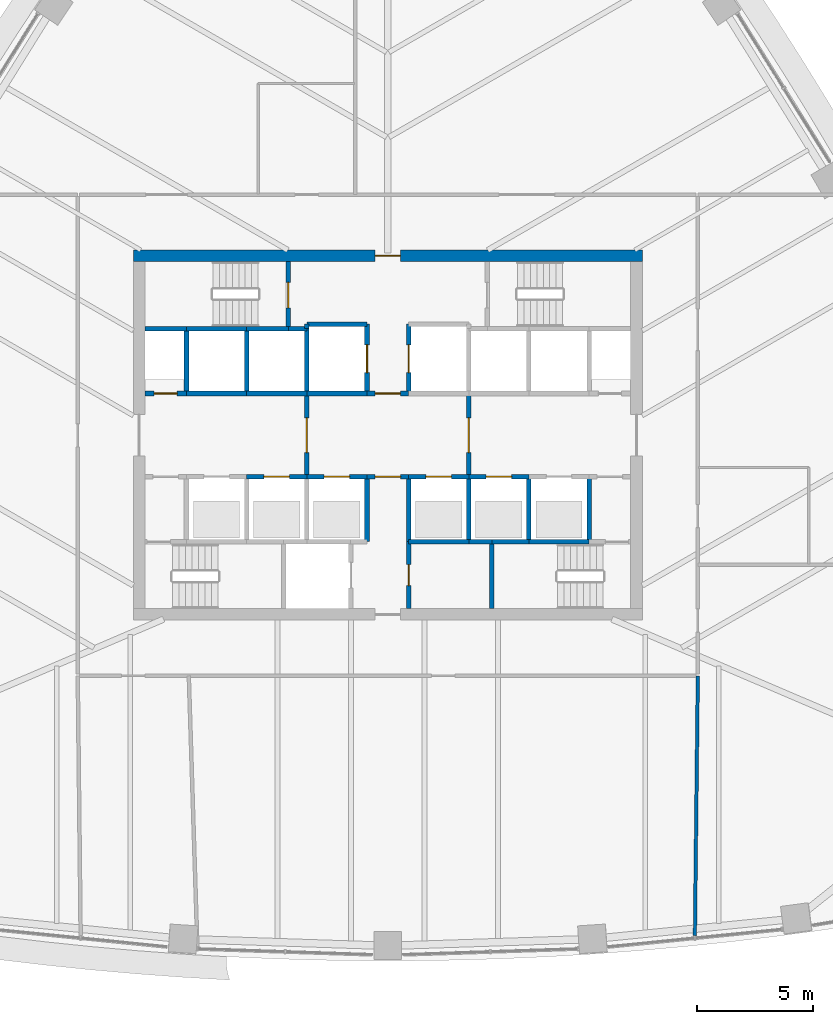
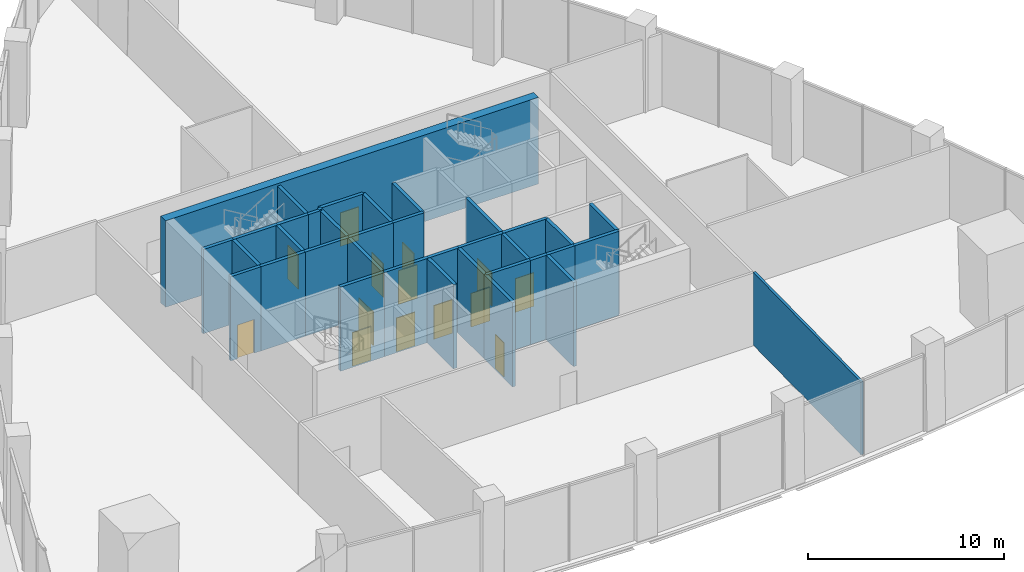
# One storey, part 10 of 16: 37 walls, 14 doors, 14 openings.
"""IFC4 building model written with IfcOpenShell, lengths in metres."""

from ifc_helpers import new_model, si_unit, direction, frame, frame_2d, origin, place, context, subcontext, project, spatial, rectangle, extrude, material, layer, layer_set, type_object, element, fill, save


model = new_model("IFC4")

# Units and contexts
model_context = context("Model", 3, precision=1e-05, world=origin(), true_north=direction((0.0, 1.0)))
body_context = subcontext(model_context, "Body", "Model", "MODEL_VIEW")
ifc_project = project(units=[si_unit("LENGTHUNIT", "METRE"), si_unit("AREAUNIT", "SQUARE_METRE"), si_unit("VOLUMEUNIT", "CUBIC_METRE"), si_unit("PLANEANGLEUNIT", "RADIAN"), si_unit("MASSUNIT", "GRAM", prefix="KILO")], contexts=[model_context])

# Site, building, storey
site_placement = place(None, origin())
site = spatial("IfcSite", under=ifc_project, at=site_placement, CompositionType="ELEMENT")
building_placement = place(site_placement, origin())
building = spatial("IfcBuilding", under=site, at=building_placement, Name="Sierra Prisma Convention Tower", CompositionType="ELEMENT")
storey_placement = place(building_placement, frame((0.0, 0.0, 107.199951171875)))
storey = spatial("IfcBuildingStorey", under=building, at=storey_placement, Name="L23", CompositionType="ELEMENT", Elevation=107.199951171875)

# Wall, opening, door
ifc_material_1 = material(Name="Concrete C30/37", Category="concrete")
ifc_layer_1 = layer(ifc_material_1, 0.199951171875)
ifc_layer_set_1 = layer_set([ifc_layer_1], Name="Core wall RC 200 C30/37")
wall_type_1 = type_object("IfcWallType", Name="Core wall RC 200 C30/37", PredefinedType="SOLIDWALL", material=ifc_layer_set_1)
wall_1_placement = place(storey_placement, frame((-8.699951171875, 1.800048828125, 0.0), z_axis=(0.0, 0.0, 1.0), x_axis=(-1.0, 0.0, 0.0)))
wall_1 = element("IfcWall", 1, at=wall_1_placement, inside=storey, type_object=wall_type_1, Name="Core wall L23 3", PredefinedType="SOLIDWALL", context=body_context, shape_type="SweptSolid", body=[
    extrude(rectangle(XDim=1.800048828125, YDim=0.199951171875, at=frame_2d((0.89990234375, 0.0))), origin(), (0.0, 0.0, 1.0), 5.25),
])
opening_1_placement = place(wall_1_placement, frame((0.39990234375, 0.0, 0.0)))
opening_1 = element("IfcOpeningElement", 2, at=opening_1_placement, cuts=wall_1, Name="Opening L23-D016", PredefinedType="OPENING", context=body_context, shape_type="SweptSolid", body=[
    extrude(rectangle(XDim=1.0, YDim=2.10009765625, at=frame_2d((0.5, 1.050048828125))), frame((0.0, 0.10009765625, 0.0), z_axis=(0.0, -1.0, 0.0), x_axis=(1.0, 0.0, 0.0)), (0.0, 0.0, 1.0), 0.199951171875),
])
ifc_material_2 = material(Name="Steel fire door leaf", Category="steel")
door_type_1 = type_object("IfcDoorType", Name="Door 1000x2100 FD60S", OperationType="SINGLE_SWING_LEFT", PredefinedType="DOOR", material=ifc_material_2)
door_1_placement = place(opening_1_placement, origin())
door_1 = element("IfcDoor", 3, at=door_1_placement, inside=storey, type_object=door_type_1, Name="Door L23 25", OperationType="SINGLE_SWING_RIGHT", OverallHeight=2.10009765625, OverallWidth=1.0, PredefinedType="DOOR", context=body_context, shape_type="SweptSolid", body=[
    extrude(rectangle(XDim=1.0, YDim=2.10009765625, at=frame_2d((0.5, 1.050048828125))), frame((0.0, 0.02490234375, 0.0), z_axis=(0.0, -1.0, 0.0), x_axis=(1.0, 0.0, 0.0)), (0.0, 0.0, 1.0), 0.050048828125),
])
fill(opening_1, door_1)

# Walls
wall_2_placement = place(storey_placement, frame((-8.699951171875, 4.60009765625, 0.0), z_axis=(0.0, 0.0, 1.0), x_axis=(-1.0, 0.0, 0.0)))
element("IfcWall", 4, at=wall_2_placement, inside=storey, type_object=wall_type_1, Name="Core wall L23 4", PredefinedType="SOLIDWALL", context=body_context, shape_type="SweptSolid", body=[
    extrude(rectangle(XDim=1.800048828125, YDim=0.199951171875, at=frame_2d((0.89990234375, 0.0))), origin(), (0.0, 0.0, 1.0), 5.25),
])
wall_3_placement = place(storey_placement, frame((-6.10009765625, 1.800048828125, 0.0), z_axis=(0.0, 0.0, 1.0), x_axis=(-1.0, 0.0, 0.0)))
element("IfcWall", 5, at=wall_3_placement, inside=storey, type_object=wall_type_1, Name="Core wall L23 8", PredefinedType="SOLIDWALL", context=body_context, shape_type="SweptSolid", body=[
    extrude(rectangle(XDim=2.599853515625, YDim=0.199951171875, at=frame_2d((1.2998046875, 0.0))), origin(), (0.0, 0.0, 1.0), 5.25),
])
wall_4_placement = place(storey_placement, frame((-8.699951171875, 1.800048828125, 0.0), z_axis=(0.0, 0.0, 1.0), x_axis=(0.0, 1.0, 0.0)))
element("IfcWall", 6, at=wall_4_placement, inside=storey, type_object=wall_type_1, Name="Core wall L23 9", PredefinedType="SOLIDWALL", context=body_context, shape_type="SweptSolid", body=[
    extrude(rectangle(XDim=2.800048828125, YDim=0.199951171875, at=frame_2d((1.39990234375, 0.0))), origin(), (0.0, 0.0, 1.0), 5.25),
])
wall_5_placement = place(storey_placement, frame((-6.10009765625, 4.60009765625, 0.0), z_axis=(0.0, 0.0, 1.0), x_axis=(-1.0, 0.0, 0.0)))
element("IfcWall", 7, at=wall_5_placement, inside=storey, type_object=wall_type_1, Name="Core wall L23 10", PredefinedType="SOLIDWALL", context=body_context, shape_type="SweptSolid", body=[
    extrude(rectangle(XDim=2.599853515625, YDim=0.199951171875, at=frame_2d((1.2998046875, 0.0))), origin(), (0.0, 0.0, 1.0), 5.25),
])

# Wall, opening, door
wall_6_placement = place(storey_placement, frame((-6.10009765625, -1.800048828125, 0.0), z_axis=(0.0, 0.0, 1.0), x_axis=(1.0, 0.0, 0.0)))
wall_6 = element("IfcWall", 8, at=wall_6_placement, inside=storey, type_object=wall_type_1, Name="Core wall L23 13", PredefinedType="SOLIDWALL", context=body_context, shape_type="SweptSolid", body=[
    extrude(rectangle(XDim=2.60009765625, YDim=0.199951171875, at=frame_2d((1.300048828125, 0.0))), origin(), (0.0, 0.0, 1.0), 5.25),
])
opening_2_placement = place(wall_6_placement, frame((0.75, 0.0, 0.0)))
opening_2 = element("IfcOpeningElement", 9, at=opening_2_placement, cuts=wall_6, Name="Opening L23-D002", PredefinedType="OPENING", context=body_context, shape_type="SweptSolid", body=[
    extrude(rectangle(XDim=1.10009765625, YDim=2.10009765625, at=frame_2d((0.550048828125, 1.050048828125))), frame((0.0, 0.10009765625, 0.0), z_axis=(0.0, -1.0, 0.0), x_axis=(1.0, 0.0, 0.0)), (0.0, 0.0, 1.0), 0.199951171875),
])
ifc_material_3 = material(Name="Steel fire door leaf", Category="steel")
door_type_2 = type_object("IfcDoorType", Name="Door 1100x2100 EI 90 sliding lift landing", OperationType="SLIDING_TO_LEFT", PredefinedType="DOOR", material=ifc_material_3)
door_2_placement = place(opening_2_placement, origin())
door_2 = element("IfcDoor", 10, at=door_2_placement, inside=storey, type_object=door_type_2, Name="Door L23 11", OperationType="SLIDING_TO_RIGHT", OverallHeight=2.10009765625, OverallWidth=1.10009765625, PredefinedType="DOOR", context=body_context, shape_type="SweptSolid", body=[
    extrude(rectangle(XDim=1.10009765625, YDim=2.10009765625, at=frame_2d((0.550048828125, 1.050048828125))), frame((0.0, 0.02490234375, 0.0), z_axis=(0.0, -1.0, 0.0), x_axis=(1.0, 0.0, 0.0)), (0.0, 0.0, 1.0), 0.050048828125),
])
fill(opening_2, door_2)

# Walls
wall_7_placement = place(storey_placement, frame((-3.5, 1.800048828125, 0.0), z_axis=(0.0, 0.0, 1.0), x_axis=(-1.0, 0.0, 0.0)))
element("IfcWall", 11, at=wall_7_placement, inside=storey, type_object=wall_type_1, Name="Core wall L23 14", PredefinedType="SOLIDWALL", context=body_context, shape_type="SweptSolid", body=[
    extrude(rectangle(XDim=2.60009765625, YDim=0.199951171875, at=frame_2d((1.300048828125, 0.0))), origin(), (0.0, 0.0, 1.0), 5.25),
])
wall_8_placement = place(storey_placement, frame((-6.10009765625, 1.800048828125, 0.0), z_axis=(0.0, 0.0, 1.0), x_axis=(0.0, 1.0, 0.0)))
element("IfcWall", 12, at=wall_8_placement, inside=storey, type_object=wall_type_1, Name="Core wall L23 15", PredefinedType="SOLIDWALL", context=body_context, shape_type="SweptSolid", body=[
    extrude(rectangle(XDim=2.800048828125, YDim=0.199951171875, at=frame_2d((1.39990234375, 0.0))), origin(), (0.0, 0.0, 1.0), 5.25),
])
wall_9_placement = place(storey_placement, frame((-4.300048828125, 4.60009765625, 0.0), z_axis=(0.0, 0.0, 1.0), x_axis=(-1.0, 0.0, 0.0)))
element("IfcWall", 13, at=wall_9_placement, inside=storey, type_object=wall_type_1, Name="Core wall L23 16", PredefinedType="SOLIDWALL", context=body_context, shape_type="SweptSolid", body=[
    extrude(rectangle(XDim=1.800048828125, YDim=0.199951171875, at=frame_2d((0.89990234375, 0.0))), origin(), (0.0, 0.0, 1.0), 5.25),
])
wall_10_placement = place(storey_placement, frame((-3.5, 4.60009765625, 0.0), z_axis=(0.0, 0.0, 1.0), x_axis=(-1.0, 0.0, 0.0)))
element("IfcWall", 14, at=wall_10_placement, inside=storey, type_object=wall_type_1, Name="Core wall L23 19", PredefinedType="SOLIDWALL", context=body_context, shape_type="SweptSolid", body=[
    extrude(rectangle(XDim=0.800048828125, YDim=0.199951171875, at=frame_2d((0.39990234375, 0.0))), origin(), (0.0, 0.0, 1.0), 5.25),
])

# Wall, opening, door
wall_11_placement = place(storey_placement, frame((-4.300048828125, 4.60009765625, 0.0), z_axis=(0.0, 0.0, 1.0), x_axis=(0.0, 1.0, 0.0)))
wall_11 = element("IfcWall", 15, at=wall_11_placement, inside=storey, type_object=wall_type_1, Name="Core wall L23 20", PredefinedType="SOLIDWALL", context=body_context, shape_type="SweptSolid", body=[
    extrude(rectangle(XDim=2.89990234375, YDim=0.199951171875, at=frame_2d((1.449951171875, 0.0))), origin(), (0.0, 0.0, 1.0), 5.25),
])
opening_3_placement = place(wall_11_placement, frame((0.89990234375, 0.0, 0.0)))
opening_3 = element("IfcOpeningElement", 16, at=opening_3_placement, cuts=wall_11, Name="Opening L23-D020", PredefinedType="OPENING", context=body_context, shape_type="SweptSolid", body=[
    extrude(rectangle(XDim=1.10009765625, YDim=2.10009765625, at=frame_2d((0.550048828125, 1.050048828125))), frame((0.0, 0.10009765625, 0.0), z_axis=(0.0, -1.0, 0.0), x_axis=(1.0, 0.0, 0.0)), (0.0, 0.0, 1.0), 0.199951171875),
])
ifc_material_4 = material(Name="Steel fire door leaf", Category="steel")
door_type_3 = type_object("IfcDoorType", Name="Door 1100x2100 FD90S", OperationType="SINGLE_SWING_LEFT", PredefinedType="DOOR", material=ifc_material_4)
door_3_placement = place(opening_3_placement, origin())
door_3 = element("IfcDoor", 17, at=door_3_placement, inside=storey, type_object=door_type_3, Name="Door L23 29", OperationType="SINGLE_SWING_RIGHT", OverallHeight=2.10009765625, OverallWidth=1.10009765625, PredefinedType="DOOR", context=body_context, shape_type="SweptSolid", body=[
    extrude(rectangle(XDim=1.10009765625, YDim=2.10009765625, at=frame_2d((0.550048828125, 1.050048828125))), frame((0.0, 0.02490234375, 0.0), z_axis=(0.0, -1.0, 0.0), x_axis=(1.0, 0.0, 0.0)), (0.0, 0.0, 1.0), 0.050048828125),
])
fill(opening_3, door_3)

wall_12_placement = place(storey_placement, frame((-3.5, -1.800048828125, 0.0), z_axis=(0.0, 0.0, 1.0), x_axis=(1.0, 0.0, 0.0)))
wall_12 = element("IfcWall", 18, at=wall_12_placement, inside=storey, type_object=wall_type_1, Name="Core wall L23 23", PredefinedType="SOLIDWALL", context=body_context, shape_type="SweptSolid", body=[
    extrude(rectangle(XDim=2.60009765625, YDim=0.199951171875, at=frame_2d((1.300048828125, 0.0))), origin(), (0.0, 0.0, 1.0), 5.25),
])
opening_4_placement = place(wall_12_placement, frame((0.75, 0.0, 0.0)))
opening_4 = element("IfcOpeningElement", 19, at=opening_4_placement, cuts=wall_12, Name="Opening L23-D003", PredefinedType="OPENING", context=body_context, shape_type="SweptSolid", body=[
    extrude(rectangle(XDim=1.10009765625, YDim=2.10009765625, at=frame_2d((0.550048828125, 1.050048828125))), frame((0.0, 0.10009765625, 0.0), z_axis=(0.0, -1.0, 0.0), x_axis=(1.0, 0.0, 0.0)), (0.0, 0.0, 1.0), 0.199951171875),
])
door_4_placement = place(opening_4_placement, origin())
door_4 = element("IfcDoor", 20, at=door_4_placement, inside=storey, type_object=door_type_2, Name="Door L23 12", OperationType="SLIDING_TO_RIGHT", OverallHeight=2.10009765625, OverallWidth=1.10009765625, PredefinedType="DOOR", context=body_context, shape_type="SweptSolid", body=[
    extrude(rectangle(XDim=1.10009765625, YDim=2.10009765625, at=frame_2d((0.550048828125, 1.050048828125))), frame((0.0, 0.02490234375, 0.0), z_axis=(0.0, -1.0, 0.0), x_axis=(1.0, 0.0, 0.0)), (0.0, 0.0, 1.0), 0.050048828125),
])
fill(opening_4, door_4)

wall_13_placement = place(storey_placement, frame((-3.5, 1.800048828125, 0.0), z_axis=(0.0, 0.0, 1.0), x_axis=(0.0, -1.0, 0.0)))
wall_13 = element("IfcWall", 21, at=wall_13_placement, inside=storey, type_object=wall_type_1, Name="Core wall L23 24", PredefinedType="SOLIDWALL", context=body_context, shape_type="SweptSolid", body=[
    extrude(rectangle(XDim=3.60009765625, YDim=0.199951171875, at=frame_2d((1.800048828125, 0.0))), origin(), (0.0, 0.0, 1.0), 5.25),
])
opening_5_placement = place(wall_13_placement, frame((1.050048828125, 0.0, 0.0)))
opening_5 = element("IfcOpeningElement", 22, at=opening_5_placement, cuts=wall_13, Name="Opening L23-D010", PredefinedType="OPENING", context=body_context, shape_type="SweptSolid", body=[
    extrude(rectangle(XDim=1.5, YDim=2.10009765625, at=frame_2d((0.75, 1.050048828125))), frame((0.0, 0.10009765625, 0.0), z_axis=(0.0, -1.0, 0.0), x_axis=(1.0, 0.0, 0.0)), (0.0, 0.0, 1.0), 0.199951171875),
])
ifc_material_5 = material(Name="Steel fire door leaf", Category="steel")
door_type_4 = type_object("IfcDoorType", Name="Door 1500x2100 FD30S", OperationType="DOUBLE_DOOR_SINGLE_SWING", PredefinedType="DOOR", material=ifc_material_5)
door_5_placement = place(opening_5_placement, origin())
door_5 = element("IfcDoor", 23, at=door_5_placement, inside=storey, type_object=door_type_4, Name="Door L23 19", OperationType="DOUBLE_DOOR_SINGLE_SWING", OverallHeight=2.10009765625, OverallWidth=1.5, PredefinedType="DOOR", context=body_context, shape_type="SweptSolid", body=[
    extrude(rectangle(XDim=1.5, YDim=2.10009765625, at=frame_2d((0.75, 1.050048828125))), frame((0.0, 0.02490234375, 0.0), z_axis=(0.0, -1.0, 0.0), x_axis=(1.0, 0.0, 0.0)), (0.0, 0.0, 1.0), 0.050048828125),
])
fill(opening_5, door_5)

# Walls
wall_14_placement = place(storey_placement, frame((-0.89990234375, 1.800048828125, 0.0), z_axis=(0.0, 0.0, 1.0), x_axis=(-1.0, 0.0, 0.0)))
element("IfcWall", 24, at=wall_14_placement, inside=storey, type_object=wall_type_1, Name="Core wall L23 25", PredefinedType="SOLIDWALL", context=body_context, shape_type="SweptSolid", body=[
    extrude(rectangle(XDim=2.60009765625, YDim=0.199951171875, at=frame_2d((1.300048828125, 0.0))), origin(), (0.0, 0.0, 1.0), 5.25),
])
wall_15_placement = place(storey_placement, frame((-3.5, 4.60009765625, 0.0), z_axis=(0.0, 0.0, 1.0), x_axis=(0.0, -1.0, 0.0)))
element("IfcWall", 25, at=wall_15_placement, inside=storey, type_object=wall_type_1, Name="Core wall L23 26", PredefinedType="SOLIDWALL", context=body_context, shape_type="SweptSolid", body=[
    extrude(rectangle(XDim=2.800048828125, YDim=0.199951171875, at=frame_2d((1.39990234375, 0.0))), origin(), (0.0, 0.0, 1.0), 5.25),
])

# Wall, opening, door
wall_16_placement = place(storey_placement, frame((-0.89990234375, 1.800048828125, 0.0), z_axis=(0.0, 0.0, 1.0), x_axis=(0.0, 1.0, 0.0)))
wall_16 = element("IfcWall", 26, at=wall_16_placement, inside=storey, type_object=wall_type_1, Name="Core wall L23 27", PredefinedType="SOLIDWALL", context=body_context, shape_type="SweptSolid", body=[
    extrude(rectangle(XDim=3.0, YDim=0.199951171875, at=frame_2d((1.5, 0.0))), origin(), (0.0, 0.0, 1.0), 5.25),
])
opening_6_placement = place(wall_16_placement, frame((0.89990234375, 0.0, 0.0)))
opening_6 = element("IfcOpeningElement", 27, at=opening_6_placement, cuts=wall_16, Name="Opening L23-D007", PredefinedType="OPENING", context=body_context, shape_type="SweptSolid", body=[
    extrude(rectangle(XDim=1.199951171875, YDim=2.10009765625, at=frame_2d((0.60009765625, 1.050048828125))), frame((0.0, 0.10009765625, 0.0), z_axis=(0.0, -1.0, 0.0), x_axis=(1.0, 0.0, 0.0)), (0.0, 0.0, 1.0), 0.199951171875),
])
ifc_material_6 = material(Name="Steel fire door leaf", Category="steel")
door_type_5 = type_object("IfcDoorType", Name="Door 1200x2100 EI 90 sliding lift landing", OperationType="SLIDING_TO_LEFT", PredefinedType="DOOR", material=ifc_material_6)
door_6_placement = place(opening_6_placement, origin())
door_6 = element("IfcDoor", 28, at=door_6_placement, inside=storey, type_object=door_type_5, Name="Door L23 16", OperationType="SLIDING_TO_RIGHT", OverallHeight=2.10009765625, OverallWidth=1.199951171875, PredefinedType="DOOR", context=body_context, shape_type="SweptSolid", body=[
    extrude(rectangle(XDim=1.199951171875, YDim=2.10009765625, at=frame_2d((0.60009765625, 1.050048828125))), frame((0.0, 0.02490234375, 0.0), z_axis=(0.0, -1.0, 0.0), x_axis=(1.0, 0.0, 0.0)), (0.0, 0.0, 1.0), 0.050048828125),
])
fill(opening_6, door_6)

# Walls
wall_17_placement = place(storey_placement, frame((-0.89990234375, 4.800048828125, 0.0), z_axis=(0.0, 0.0, 1.0), x_axis=(-1.0, 0.0, 0.0)))
element("IfcWall", 29, at=wall_17_placement, inside=storey, type_object=wall_type_1, Name="Core wall L23 28", PredefinedType="SOLIDWALL", context=body_context, shape_type="SweptSolid", body=[
    extrude(rectangle(XDim=2.60009765625, YDim=0.199951171875, at=frame_2d((1.300048828125, 0.0))), origin(), (0.0, 0.0, 1.0), 5.25),
])
wall_18_placement = place(storey_placement, frame((-3.5, 4.800048828125, 0.0), z_axis=(0.0, 0.0, 1.0), x_axis=(0.0, -1.0, 0.0)))
element("IfcWall", 30, at=wall_18_placement, inside=storey, type_object=wall_type_1, Name="Core wall L23 29", PredefinedType="SOLIDWALL", context=body_context, shape_type="SweptSolid", body=[
    extrude(rectangle(XDim=0.199951171875, YDim=0.199951171875, at=frame_2d((0.10009765625, 0.0))), origin(), (0.0, 0.0, 1.0), 5.25),
])
wall_19_placement = place(storey_placement, frame((-0.89990234375, -4.60009765625, 0.0), z_axis=(0.0, 0.0, 1.0), x_axis=(0.0, 1.0, 0.0)))
element("IfcWall", 31, at=wall_19_placement, inside=storey, type_object=wall_type_1, Name="Core wall L23 32", PredefinedType="SOLIDWALL", context=body_context, shape_type="SweptSolid", body=[
    extrude(rectangle(XDim=2.800048828125, YDim=0.199951171875, at=frame_2d((1.39990234375, 0.0))), origin(), (0.0, 0.0, 1.0), 5.25),
])

# Wall, opening, door
wall_20_placement = place(storey_placement, frame((-0.89990234375, -1.800048828125, 0.0), z_axis=(0.0, 0.0, 1.0), x_axis=(1.0, 0.0, 0.0)))
wall_20 = element("IfcWall", 32, at=wall_20_placement, inside=storey, type_object=wall_type_1, Name="Core wall L23 33", PredefinedType="SOLIDWALL", context=body_context, shape_type="SweptSolid", body=[
    extrude(rectangle(XDim=1.7998046875, YDim=0.199951171875, at=frame_2d((0.89990234375, 0.0))), origin(), (0.0, 0.0, 1.0), 5.25),
])
opening_7_placement = place(wall_20_placement, frame((0.35009765625, 0.0, 0.0)))
opening_7 = element("IfcOpeningElement", 33, at=opening_7_placement, cuts=wall_20, Name="Opening L23-D015", PredefinedType="OPENING", context=body_context, shape_type="SweptSolid", body=[
    extrude(rectangle(XDim=1.10009765625, YDim=2.10009765625, at=frame_2d((0.550048828125, 1.050048828125))), frame((0.0, 0.10009765625, 0.0), z_axis=(0.0, -1.0, 0.0), x_axis=(1.0, 0.0, 0.0)), (0.0, 0.0, 1.0), 0.199951171875),
])
ifc_material_7 = material(Name="Steel fire door leaf", Category="steel")
door_type_6 = type_object("IfcDoorType", Name="Door 1100x2100 FD30S", OperationType="SINGLE_SWING_LEFT", PredefinedType="DOOR", material=ifc_material_7)
door_7_placement = place(opening_7_placement, origin())
door_7 = element("IfcDoor", 34, at=door_7_placement, inside=storey, type_object=door_type_6, Name="Door L23 24", OperationType="SINGLE_SWING_LEFT", OverallHeight=2.10009765625, OverallWidth=1.10009765625, PredefinedType="DOOR", context=body_context, shape_type="SweptSolid", body=[
    extrude(rectangle(XDim=1.10009765625, YDim=2.10009765625, at=frame_2d((0.550048828125, 1.050048828125))), frame((0.0, 0.02490234375, 0.0), z_axis=(0.0, -1.0, 0.0), x_axis=(1.0, 0.0, 0.0)), (0.0, 0.0, 1.0), 0.050048828125),
])
fill(opening_7, door_7)

wall_21_placement = place(storey_placement, frame((0.89990234375, 1.800048828125, 0.0), z_axis=(0.0, 0.0, 1.0), x_axis=(-1.0, 0.0, 0.0)))
wall_21 = element("IfcWall", 35, at=wall_21_placement, inside=storey, type_object=wall_type_1, Name="Core wall L23 34", PredefinedType="SOLIDWALL", context=body_context, shape_type="SweptSolid", body=[
    extrude(rectangle(XDim=1.7998046875, YDim=0.199951171875, at=frame_2d((0.89990234375, 0.0))), origin(), (0.0, 0.0, 1.0), 5.25),
])
opening_8_placement = place(wall_21_placement, frame((0.35009765625, 0.0, 0.0)))
opening_8 = element("IfcOpeningElement", 36, at=opening_8_placement, cuts=wall_21, Name="Opening L23-D014", PredefinedType="OPENING", context=body_context, shape_type="SweptSolid", body=[
    extrude(rectangle(XDim=1.10009765625, YDim=2.10009765625, at=frame_2d((0.550048828125, 1.050048828125))), frame((0.0, 0.10009765625, 0.0), z_axis=(0.0, -1.0, 0.0), x_axis=(1.0, 0.0, 0.0)), (0.0, 0.0, 1.0), 0.199951171875),
])
ifc_material_8 = material(Name="Steel fire door leaf", Category="steel")
door_type_7 = type_object("IfcDoorType", Name="Door 1100x2100 FD60S", OperationType="SINGLE_SWING_LEFT", PredefinedType="DOOR", material=ifc_material_8)
door_8_placement = place(opening_8_placement, origin())
door_8 = element("IfcDoor", 37, at=door_8_placement, inside=storey, type_object=door_type_7, Name="Door L23 23", OperationType="SINGLE_SWING_LEFT", OverallHeight=2.10009765625, OverallWidth=1.10009765625, PredefinedType="DOOR", context=body_context, shape_type="SweptSolid", body=[
    extrude(rectangle(XDim=1.10009765625, YDim=2.10009765625, at=frame_2d((0.550048828125, 1.050048828125))), frame((0.0, 0.02490234375, 0.0), z_axis=(0.0, -1.0, 0.0), x_axis=(1.0, 0.0, 0.0)), (0.0, 0.0, 1.0), 0.050048828125),
])
fill(opening_8, door_8)

wall_22_placement = place(storey_placement, frame((0.89990234375, -4.60009765625, 0.0), z_axis=(0.0, 0.0, 1.0), x_axis=(0.0, -1.0, 0.0)))
wall_22 = element("IfcWall", 38, at=wall_22_placement, inside=storey, type_object=wall_type_1, Name="Core wall L23 35", PredefinedType="SOLIDWALL", context=body_context, shape_type="SweptSolid", body=[
    extrude(rectangle(XDim=2.89990234375, YDim=0.199951171875, at=frame_2d((1.449951171875, 0.0))), origin(), (0.0, 0.0, 1.0), 5.25),
])
opening_9_placement = place(wall_22_placement, frame((1.0, 0.0, 0.0)))
opening_9 = element("IfcOpeningElement", 39, at=opening_9_placement, cuts=wall_22, Name="Opening L23-D022", PredefinedType="OPENING", context=body_context, shape_type="SweptSolid", body=[
    extrude(rectangle(XDim=0.89990234375, YDim=2.10009765625, at=frame_2d((0.449951171875, 1.050048828125))), frame((0.0, 0.10009765625, 0.0), z_axis=(0.0, -1.0, 0.0), x_axis=(1.0, 0.0, 0.0)), (0.0, 0.0, 1.0), 0.199951171875),
])
ifc_material_9 = material(Name="Steel fire door leaf", Category="steel")
door_type_8 = type_object("IfcDoorType", Name="Door 900x2100 FD30S", OperationType="SINGLE_SWING_LEFT", PredefinedType="DOOR", material=ifc_material_9)
door_9_placement = place(opening_9_placement, origin())
door_9 = element("IfcDoor", 40, at=door_9_placement, inside=storey, type_object=door_type_8, Name="Door L23 31", OperationType="SINGLE_SWING_LEFT", OverallHeight=2.10009765625, OverallWidth=0.89990234375, PredefinedType="DOOR", context=body_context, shape_type="SweptSolid", body=[
    extrude(rectangle(XDim=0.89990234375, YDim=2.10009765625, at=frame_2d((0.449951171875, 1.050048828125))), frame((0.0, 0.02490234375, 0.0), z_axis=(0.0, -1.0, 0.0), x_axis=(1.0, 0.0, 0.0)), (0.0, 0.0, 1.0), 0.050048828125),
])
fill(opening_9, door_9)

# Walls
wall_23_placement = place(storey_placement, frame((3.5, -4.60009765625, 0.0), z_axis=(0.0, 0.0, 1.0), x_axis=(-1.0, 0.0, 0.0)))
element("IfcWall", 41, at=wall_23_placement, inside=storey, type_object=wall_type_1, Name="Core wall L23 36", PredefinedType="SOLIDWALL", context=body_context, shape_type="SweptSolid", body=[
    extrude(rectangle(XDim=2.60009765625, YDim=0.199951171875, at=frame_2d((1.300048828125, 0.0))), origin(), (0.0, 0.0, 1.0), 5.25),
])
wall_24_placement = place(storey_placement, frame((0.89990234375, -1.800048828125, 0.0), z_axis=(0.0, 0.0, 1.0), x_axis=(0.0, -1.0, 0.0)))
element("IfcWall", 42, at=wall_24_placement, inside=storey, type_object=wall_type_1, Name="Core wall L23 37", PredefinedType="SOLIDWALL", context=body_context, shape_type="SweptSolid", body=[
    extrude(rectangle(XDim=2.800048828125, YDim=0.199951171875, at=frame_2d((1.39990234375, 0.0))), origin(), (0.0, 0.0, 1.0), 5.25),
])

# Wall, opening, door
wall_25_placement = place(storey_placement, frame((0.89990234375, -1.800048828125, 0.0), z_axis=(0.0, 0.0, 1.0), x_axis=(1.0, 0.0, 0.0)))
wall_25 = element("IfcWall", 43, at=wall_25_placement, inside=storey, type_object=wall_type_1, Name="Core wall L23 38", PredefinedType="SOLIDWALL", context=body_context, shape_type="SweptSolid", body=[
    extrude(rectangle(XDim=2.60009765625, YDim=0.199951171875, at=frame_2d((1.300048828125, 0.0))), origin(), (0.0, 0.0, 1.0), 5.25),
])
opening_10_placement = place(wall_25_placement, frame((0.75, 0.0, 0.0)))
opening_10 = element("IfcOpeningElement", 44, at=opening_10_placement, cuts=wall_25, Name="Opening L23-D004", PredefinedType="OPENING", context=body_context, shape_type="SweptSolid", body=[
    extrude(rectangle(XDim=1.10009765625, YDim=2.10009765625, at=frame_2d((0.550048828125, 1.050048828125))), frame((0.0, 0.10009765625, 0.0), z_axis=(0.0, -1.0, 0.0), x_axis=(1.0, 0.0, 0.0)), (0.0, 0.0, 1.0), 0.199951171875),
])
door_10_placement = place(opening_10_placement, origin())
door_10 = element("IfcDoor", 45, at=door_10_placement, inside=storey, type_object=door_type_2, Name="Door L23 13", OperationType="SLIDING_TO_RIGHT", OverallHeight=2.10009765625, OverallWidth=1.10009765625, PredefinedType="DOOR", context=body_context, shape_type="SweptSolid", body=[
    extrude(rectangle(XDim=1.10009765625, YDim=2.10009765625, at=frame_2d((0.550048828125, 1.050048828125))), frame((0.0, 0.02490234375, 0.0), z_axis=(0.0, -1.0, 0.0), x_axis=(1.0, 0.0, 0.0)), (0.0, 0.0, 1.0), 0.050048828125),
])
fill(opening_10, door_10)

wall_26_placement = place(storey_placement, frame((0.89990234375, 4.800048828125, 0.0), z_axis=(0.0, 0.0, 1.0), x_axis=(0.0, -1.0, 0.0)))
wall_26 = element("IfcWall", 46, at=wall_26_placement, inside=storey, type_object=wall_type_1, Name="Core wall L23 42", PredefinedType="SOLIDWALL", context=body_context, shape_type="SweptSolid", body=[
    extrude(rectangle(XDim=3.0, YDim=0.199951171875, at=frame_2d((1.5, 0.0))), origin(), (0.0, 0.0, 1.0), 5.25),
])
opening_11_placement = place(wall_26_placement, frame((0.89990234375, 0.0, 0.0)))
opening_11 = element("IfcOpeningElement", 47, at=opening_11_placement, cuts=wall_26, Name="Opening L23-D008", PredefinedType="OPENING", context=body_context, shape_type="SweptSolid", body=[
    extrude(rectangle(XDim=1.199951171875, YDim=2.10009765625, at=frame_2d((0.60009765625, 1.050048828125))), frame((0.0, 0.10009765625, 0.0), z_axis=(0.0, -1.0, 0.0), x_axis=(1.0, 0.0, 0.0)), (0.0, 0.0, 1.0), 0.199951171875),
])
door_11_placement = place(opening_11_placement, origin())
door_11 = element("IfcDoor", 48, at=door_11_placement, inside=storey, type_object=door_type_5, Name="Door L23 17", OperationType="SLIDING_TO_LEFT", OverallHeight=2.10009765625, OverallWidth=1.199951171875, PredefinedType="DOOR", context=body_context, shape_type="SweptSolid", body=[
    extrude(rectangle(XDim=1.199951171875, YDim=2.10009765625, at=frame_2d((0.60009765625, 1.050048828125))), frame((0.0, 0.02490234375, 0.0), z_axis=(0.0, -1.0, 0.0), x_axis=(1.0, 0.0, 0.0)), (0.0, 0.0, 1.0), 0.050048828125),
])
fill(opening_11, door_11)

# Walls
wall_27_placement = place(storey_placement, frame((4.5, -4.60009765625, 0.0), z_axis=(0.0, 0.0, 1.0), x_axis=(-1.0, 0.0, 0.0)))
element("IfcWall", 49, at=wall_27_placement, inside=storey, type_object=wall_type_1, Name="Core wall L23 43", PredefinedType="SOLIDWALL", context=body_context, shape_type="SweptSolid", body=[
    extrude(rectangle(XDim=1.0, YDim=0.199951171875, at=frame_2d((0.5, 0.0))), origin(), (0.0, 0.0, 1.0), 5.25),
])
wall_28_placement = place(storey_placement, frame((3.5, -4.60009765625, 0.0), z_axis=(0.0, 0.0, 1.0), x_axis=(0.0, 1.0, 0.0)))
element("IfcWall", 50, at=wall_28_placement, inside=storey, type_object=wall_type_1, Name="Core wall L23 44", PredefinedType="SOLIDWALL", context=body_context, shape_type="SweptSolid", body=[
    extrude(rectangle(XDim=2.800048828125, YDim=0.199951171875, at=frame_2d((1.39990234375, 0.0))), origin(), (0.0, 0.0, 1.0), 5.25),
])

# Wall, opening, door
wall_29_placement = place(storey_placement, frame((3.5, -1.800048828125, 0.0), z_axis=(0.0, 0.0, 1.0), x_axis=(1.0, 0.0, 0.0)))
wall_29 = element("IfcWall", 51, at=wall_29_placement, inside=storey, type_object=wall_type_1, Name="Core wall L23 45", PredefinedType="SOLIDWALL", context=body_context, shape_type="SweptSolid", body=[
    extrude(rectangle(XDim=2.60009765625, YDim=0.199951171875, at=frame_2d((1.300048828125, 0.0))), origin(), (0.0, 0.0, 1.0), 5.25),
])
opening_12_placement = place(wall_29_placement, frame((0.75, 0.0, 0.0)))
opening_12 = element("IfcOpeningElement", 52, at=opening_12_placement, cuts=wall_29, Name="Opening L23-D005", PredefinedType="OPENING", context=body_context, shape_type="SweptSolid", body=[
    extrude(rectangle(XDim=1.10009765625, YDim=2.10009765625, at=frame_2d((0.550048828125, 1.050048828125))), frame((0.0, 0.10009765625, 0.0), z_axis=(0.0, -1.0, 0.0), x_axis=(1.0, 0.0, 0.0)), (0.0, 0.0, 1.0), 0.199951171875),
])
door_12_placement = place(opening_12_placement, origin())
door_12 = element("IfcDoor", 53, at=door_12_placement, inside=storey, type_object=door_type_2, Name="Door L23 14", OperationType="SLIDING_TO_LEFT", OverallHeight=2.10009765625, OverallWidth=1.10009765625, PredefinedType="DOOR", context=body_context, shape_type="SweptSolid", body=[
    extrude(rectangle(XDim=1.10009765625, YDim=2.10009765625, at=frame_2d((0.550048828125, 1.050048828125))), frame((0.0, 0.02490234375, 0.0), z_axis=(0.0, -1.0, 0.0), x_axis=(1.0, 0.0, 0.0)), (0.0, 0.0, 1.0), 0.050048828125),
])
fill(opening_12, door_12)

wall_30_placement = place(storey_placement, frame((3.5, -1.800048828125, 0.0), z_axis=(0.0, 0.0, 1.0), x_axis=(0.0, 1.0, 0.0)))
wall_30 = element("IfcWall", 54, at=wall_30_placement, inside=storey, type_object=wall_type_1, Name="Core wall L23 46", PredefinedType="SOLIDWALL", context=body_context, shape_type="SweptSolid", body=[
    extrude(rectangle(XDim=3.60009765625, YDim=0.199951171875, at=frame_2d((1.800048828125, 0.0))), origin(), (0.0, 0.0, 1.0), 5.25),
])
opening_13_placement = place(wall_30_placement, frame((1.050048828125, 0.0, 0.0)))
opening_13 = element("IfcOpeningElement", 55, at=opening_13_placement, cuts=wall_30, Name="Opening L23-D011", PredefinedType="OPENING", context=body_context, shape_type="SweptSolid", body=[
    extrude(rectangle(XDim=1.5, YDim=2.10009765625, at=frame_2d((0.75, 1.050048828125))), frame((0.0, 0.10009765625, 0.0), z_axis=(0.0, -1.0, 0.0), x_axis=(1.0, 0.0, 0.0)), (0.0, 0.0, 1.0), 0.199951171875),
])
door_13_placement = place(opening_13_placement, origin())
door_13 = element("IfcDoor", 56, at=door_13_placement, inside=storey, type_object=door_type_4, Name="Door L23 20", OperationType="DOUBLE_DOOR_SINGLE_SWING", OverallHeight=2.10009765625, OverallWidth=1.5, PredefinedType="DOOR", context=body_context, shape_type="SweptSolid", body=[
    extrude(rectangle(XDim=1.5, YDim=2.10009765625, at=frame_2d((0.75, 1.050048828125))), frame((0.0, 0.02490234375, 0.0), z_axis=(0.0, -1.0, 0.0), x_axis=(1.0, 0.0, 0.0)), (0.0, 0.0, 1.0), 0.050048828125),
])
fill(opening_13, door_13)

# Walls
wall_31_placement = place(storey_placement, frame((4.5, -7.5, 0.0), z_axis=(0.0, 0.0, 1.0), x_axis=(0.0, 1.0, 0.0)))
element("IfcWall", 57, at=wall_31_placement, inside=storey, type_object=wall_type_1, Name="Core wall L23 52", PredefinedType="SOLIDWALL", context=body_context, shape_type="SweptSolid", body=[
    extrude(rectangle(XDim=2.89990234375, YDim=0.199951171875, at=frame_2d((1.449951171875, 0.0))), origin(), (0.0, 0.0, 1.0), 5.25),
])
wall_32_placement = place(storey_placement, frame((4.5, -4.60009765625, 0.0), z_axis=(0.0, 0.0, 1.0), x_axis=(1.0, 0.0, 0.0)))
element("IfcWall", 58, at=wall_32_placement, inside=storey, type_object=wall_type_1, Name="Core wall L23 53", PredefinedType="SOLIDWALL", context=body_context, shape_type="SweptSolid", body=[
    extrude(rectangle(XDim=1.60009765625, YDim=0.199951171875, at=frame_2d((0.800048828125, 0.0))), origin(), (0.0, 0.0, 1.0), 5.25),
])
wall_33_placement = place(storey_placement, frame((6.10009765625, -4.60009765625, 0.0), z_axis=(0.0, 0.0, 1.0), x_axis=(1.0, 0.0, 0.0)))
element("IfcWall", 59, at=wall_33_placement, inside=storey, type_object=wall_type_1, Name="Core wall L23 54", PredefinedType="SOLIDWALL", context=body_context, shape_type="SweptSolid", body=[
    extrude(rectangle(XDim=2.599853515625, YDim=0.199951171875, at=frame_2d((1.2998046875, 0.0))), origin(), (0.0, 0.0, 1.0), 5.25),
])
for number, where, z_axis, x_axis, name in (
    (60, (6.10009765625, -4.60009765625, 0.0), (0.0, 0.0, 1.0), (0.0, 1.0, 0.0), "Core wall L23 55"),
    (61, (8.699951171875, -1.800048828125, 0.0), (0.0, 0.0, 1.0), (0.0, -1.0, 0.0), "Core wall L23 61"),
):
    element("IfcWall", number, at=place(storey_placement, frame(where, z_axis=z_axis, x_axis=x_axis)), inside=storey, type_object=wall_type_1, Name=name, PredefinedType="SOLIDWALL", context=body_context, shape_type="SweptSolid", body=[
        extrude(rectangle(XDim=2.800048828125, YDim=0.199951171875, at=frame_2d((1.39990234375, 0.0))), origin(), (0.0, 0.0, 1.0), 5.25),
    ])

# Wall, opening, door
ifc_material_10 = material(Name="Concrete C60/75", Category="concrete")
ifc_layer_2 = layer(ifc_material_10, 0.5)
ifc_layer_set_2 = layer_set([ifc_layer_2], Name="Core wall RC 500 C60/75")
wall_type_2 = type_object("IfcWallType", Name="Core wall RC 500 C60/75", PredefinedType="SHEAR", material=ifc_layer_set_2)
wall_34_placement = place(storey_placement, frame((-11.0, 7.75, 0.0), z_axis=(0.0, 0.0, 1.0), x_axis=(1.0, 0.0, 0.0)))
wall_34 = element("IfcWall", 62, at=wall_34_placement, inside=storey, type_object=wall_type_2, Name="Core wall N L23", PredefinedType="SHEAR", context=body_context, shape_type="SweptSolid", body=[
    extrude(rectangle(XDim=22.0, YDim=0.5, at=frame_2d((11.0, 0.0))), origin(), (0.0, 0.0, 1.0), 5.400146484375),
])
opening_14_placement = place(wall_34_placement, frame((10.449951171875, 0.0, 0.0)))
opening_14 = element("IfcOpeningElement", 63, at=opening_14_placement, cuts=wall_34, Name="Opening L23-D033", PredefinedType="OPENING", context=body_context, shape_type="SweptSolid", body=[
    extrude(rectangle(XDim=1.10009765625, YDim=2.10009765625, at=frame_2d((0.550048828125, 1.050048828125))), frame((0.0, 0.25, 0.0), z_axis=(0.0, -1.0, 0.0), x_axis=(1.0, 0.0, 0.0)), (0.0, 0.0, 1.0), 0.5),
])
door_14_placement = place(opening_14_placement, origin())
door_14 = element("IfcDoor", 64, at=door_14_placement, inside=storey, type_object=door_type_7, Name="Door L23 34", OperationType="SINGLE_SWING_RIGHT", OverallHeight=2.10009765625, OverallWidth=1.10009765625, PredefinedType="DOOR", context=body_context, shape_type="SweptSolid", body=[
    extrude(rectangle(XDim=1.10009765625, YDim=2.10009765625, at=frame_2d((0.550048828125, 1.050048828125))), frame((0.0, 0.02490234375, 0.0), z_axis=(0.0, -1.0, 0.0), x_axis=(1.0, 0.0, 0.0)), (0.0, 0.0, 1.0), 0.050048828125),
])
fill(opening_14, door_14)

# Wall
ifc_material_11 = material(Name="Gypsum board partition", Category="gypsum")
ifc_layer_3 = layer(ifc_material_11, 0.14990234375)
ifc_layer_set_3 = layer_set([ifc_layer_3], Name="Party wall 150 gypsum")
wall_type_3 = type_object("IfcWallType", Name="Party wall 150 gypsum", PredefinedType="PARTITIONING", material=ifc_layer_set_3)
wall_35_placement = place(storey_placement, frame((13.39990234375, -10.39990234375, 0.0), z_axis=(0.0, 0.0, 1.0), x_axis=(-0.011211567949, -0.999937148397, 0.0)))
element("IfcWall", 65, at=wall_35_placement, inside=storey, type_object=wall_type_3, Name="Partition L23 party 5", PredefinedType="PARTITIONING", context=body_context, shape_type="SweptSolid", body=[
    extrude(rectangle(XDim=11.236328125, YDim=0.14990234375, at=frame_2d((5.6181640625, 0.0))), origin(), (0.0, 0.0, 1.0), 4.533935546875),
])

save(model, "model.ifc")
